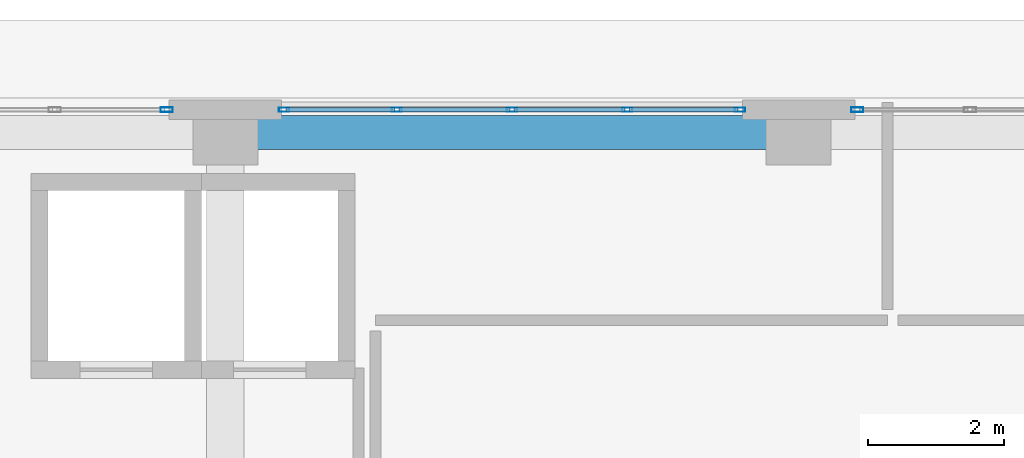
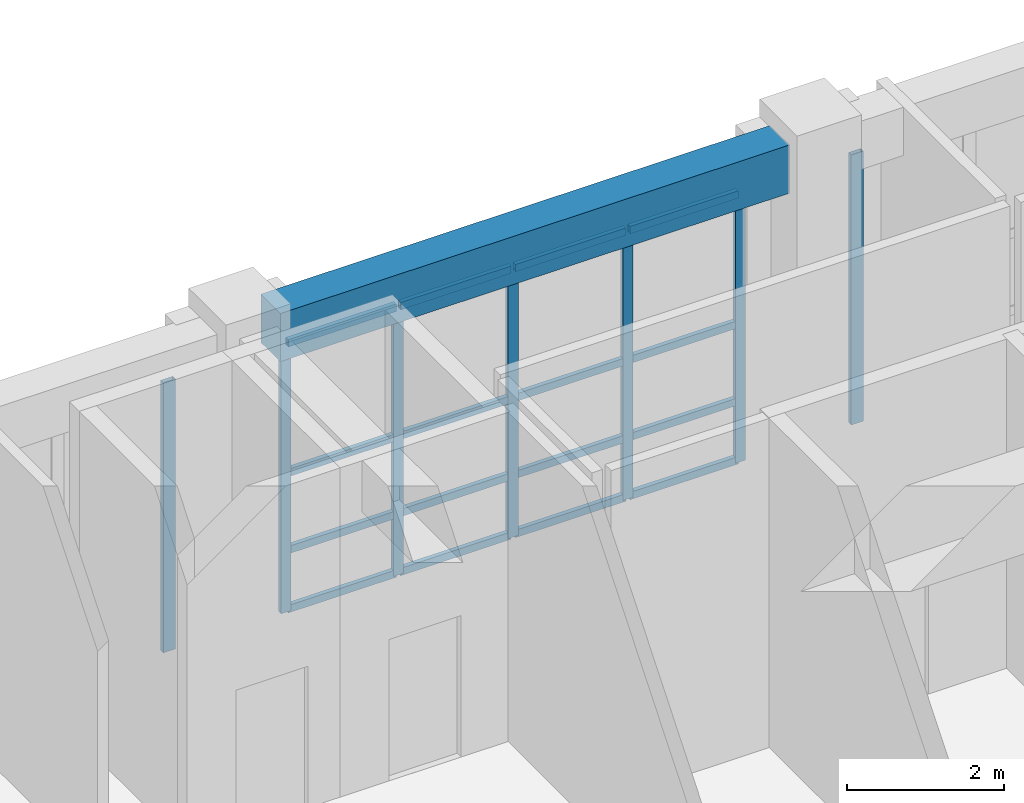
# One storey, part 61 of 148: 23 members, 1 beam, 3 elements without a shape of their own.
"""IFC4 building model written with IfcOpenShell, lengths in metres."""

from ifc_helpers import new_model, si_unit, direction, frame, origin, origin_2d, place, context, subcontext, project, spatial, rectangle, hollow_rectangle, extrude, material, layer, layer_set, material_profile, profile_set, type_object, element, aggregate, save


model = new_model("IFC4")

# Units and contexts
model_context = context("Model", 3, precision=1e-05, world=origin(), true_north=direction((0.0, 1.0)))
body_context = subcontext(model_context, "Body", "Model", "MODEL_VIEW")
ifc_project = project(units=[si_unit("LENGTHUNIT", "METRE"), si_unit("AREAUNIT", "SQUARE_METRE"), si_unit("VOLUMEUNIT", "CUBIC_METRE"), si_unit("PLANEANGLEUNIT", "RADIAN"), si_unit("MASSUNIT", "GRAM", prefix="KILO")], contexts=[model_context])

# Site, building, storey
site_placement = place(None, origin())
site = spatial("IfcSite", under=ifc_project, at=site_placement, CompositionType="ELEMENT")
building_placement = place(site_placement, origin())
building = spatial("IfcBuilding", under=site, at=building_placement, Name="Quendrovan Civic Courthouse", CompositionType="ELEMENT")
storey_placement = place(building_placement, origin())
storey = spatial("IfcBuildingStorey", under=building, at=storey_placement, Name="L01", CompositionType="ELEMENT", Elevation=0.0)

# Beam
ifc_material_1 = material(Name="Concrete C40/50", Category="concrete")
ifc_material_profile_1 = material_profile(ifc_material_1, rectangle(XDim=0.5, YDim=0.75, at=origin_2d()), Name="RC-BM-500x750")
ifc_profile_set_1 = profile_set([ifc_material_profile_1], Name="Concrete C40/50")
beam_type = type_object("IfcBeamType", Name="BM-RC750", PredefinedType="SPANDREL", material=ifc_profile_set_1)
beam_placement = place(storey_placement, frame((50.85498046875, 109.89990234375, 4.7451171875), z_axis=(1.0, 0.0, 0.0), x_axis=(0.0, 1.0, 0.0)))
element("IfcBeam", 1, at=beam_placement, inside=storey, type_object=beam_type, Name="L01 Girder X0358", PredefinedType="SPANDREL", context=body_context, shape_type="SweptSolid", body=[
    extrude(rectangle(XDim=0.5, YDim=0.75, at=origin_2d()), origin(), (0.0, 0.0, 1.0), 7.489990234375),
])

# Curtain wall, member
ifc_material_2 = material(Name="Bronze anodised aluminium and low-E glass", Category="aluminium")
ifc_layer_1 = layer(ifc_material_2, 0.179931640625, Name="Bronze anodised aluminium and low-E glass")
ifc_layer_set_1 = layer_set([ifc_layer_1], Name="Bronze anodised aluminium and low-E glass")
curtain_wall_type_1 = type_object("IfcCurtainWallType", Name="CW-U67x42", PredefinedType="USERDEFINED", material=ifc_layer_set_1)
curtain_wall_1_placement = place(storey_placement, origin())
curtain_wall_1 = element("IfcCurtainWall", 2, at=curtain_wall_1_placement, inside=storey, type_object=curtain_wall_type_1, Name="L01 Unitised Hurricane Curtain Wall CW-026", ObjectType="UNITISED CURTAIN WALL", PredefinedType="USERDEFINED")
ifc_material_3 = material(Name="Bronze anodised aluminium", Category="aluminium")
ifc_material_profile_2 = material_profile(ifc_material_3, hollow_rectangle(XDim=0.070068359375, YDim=0.179931640625, WallThickness=0.00390625, at=origin_2d()), Name="CW-MULL-70x180")
ifc_profile_set_2 = profile_set([ifc_material_profile_2], Name="Bronze anodised aluminium")
member_type_1 = type_object("IfcMemberType", Name="CW-MULL-A", PredefinedType="MULLION", material=ifc_profile_set_2)
member_1_placement = place(storey_placement, frame((49.5400390625, 110.235107421875, 0.0), z_axis=(0.0, 0.0, 1.0), x_axis=(0.0, 1.0, 0.0)))
member_1 = element("IfcMember", 3, at=member_1_placement, type_object=member_type_1, Name="CW-026 mullion 5", PredefinedType="MULLION", context=body_context, shape_type="SweptSolid", body=[
    extrude(hollow_rectangle(XDim=0.070068359375, YDim=0.179931640625, WallThickness=0.00390625, at=origin_2d()), origin(), (0.0, 0.0, 1.0), 4.199951171875),
])
aggregate(curtain_wall_1, [member_1])

ifc_layer_2 = layer(ifc_material_2, 0.179931640625, Name="Bronze anodised aluminium and low-E glass")
ifc_layer_set_2 = layer_set([ifc_layer_2], Name="Bronze anodised aluminium and low-E glass")
curtain_wall_type_2 = type_object("IfcCurtainWallType", Name="CW-U68x42", PredefinedType="USERDEFINED", material=ifc_layer_set_2)
curtain_wall_2_placement = place(storey_placement, origin())
curtain_wall_2 = element("IfcCurtainWall", 4, at=curtain_wall_2_placement, inside=storey, type_object=curtain_wall_type_2, Name="L01 Unitised Hurricane Curtain Wall CW-028", ObjectType="UNITISED CURTAIN WALL", PredefinedType="USERDEFINED")
member_2_placement = place(storey_placement, frame((59.659912109375, 110.235107421875, 0.0), z_axis=(0.0, 0.0, 1.0), x_axis=(0.0, 1.0, 0.0)))
member_2 = element("IfcMember", 5, at=member_2_placement, type_object=member_type_1, Name="CW-028 mullion 1", PredefinedType="MULLION", context=body_context, shape_type="SweptSolid", body=[
    extrude(hollow_rectangle(XDim=0.070068359375, YDim=0.179931640625, WallThickness=0.00390625, at=origin_2d()), origin(), (0.0, 0.0, 1.0), 4.199951171875),
])
aggregate(curtain_wall_2, [member_2])

# Curtain wall, members
curtain_wall_3_placement = place(storey_placement, origin())
curtain_wall_3 = element("IfcCurtainWall", 6, at=curtain_wall_3_placement, inside=storey, type_object=curtain_wall_type_2, Name="L01 Unitised Hurricane Curtain Wall CW-027", ObjectType="UNITISED CURTAIN WALL", PredefinedType="USERDEFINED")
ifc_material_profile_3 = material_profile(ifc_material_3, hollow_rectangle(XDim=0.06494140625, YDim=0.14990234375, WallThickness=0.00390625, at=origin_2d()), Name="CW-MULL-65x150")
ifc_profile_set_3 = profile_set([ifc_material_profile_3], Name="Bronze anodised aluminium")
member_type_2 = type_object("IfcMemberType", Name="CW-MULL-B", PredefinedType="MULLION", material=ifc_profile_set_3)
member_3_placement = place(storey_placement, frame((51.257568359375, 110.235107421875, 0.0), z_axis=(0.0, 0.0, 1.0), x_axis=(0.0, 1.0, 0.0)))
member_3 = element("IfcMember", 7, at=member_3_placement, type_object=member_type_2, Name="CW-027 mullion 1", PredefinedType="MULLION", context=body_context, shape_type="SweptSolid", body=[
    extrude(hollow_rectangle(XDim=0.06494140625, YDim=0.14990234375, WallThickness=0.00390625, at=origin_2d()), origin(), (0.0, 0.0, 1.0), 4.199951171875),
])
member_4_placement = place(storey_placement, frame((52.91259765625, 110.235107421875, 0.0), z_axis=(0.0, 0.0, 1.0), x_axis=(0.0, 1.0, 0.0)))
member_4 = element("IfcMember", 8, at=member_4_placement, type_object=member_type_2, Name="CW-027 mullion 2", PredefinedType="MULLION", context=body_context, shape_type="SweptSolid", body=[
    extrude(hollow_rectangle(XDim=0.06494140625, YDim=0.14990234375, WallThickness=0.00390625, at=origin_2d()), origin(), (0.0, 0.0, 1.0), 4.199951171875),
])
member_5_placement = place(storey_placement, frame((54.60009765625, 110.235107421875, 0.0), z_axis=(0.0, 0.0, 1.0), x_axis=(0.0, 1.0, 0.0)))
member_5 = element("IfcMember", 9, at=member_5_placement, type_object=member_type_2, Name="CW-027 mullion 3", PredefinedType="MULLION", context=body_context, shape_type="SweptSolid", body=[
    extrude(hollow_rectangle(XDim=0.06494140625, YDim=0.14990234375, WallThickness=0.00390625, at=origin_2d()), origin(), (0.0, 0.0, 1.0), 4.199951171875),
])
member_6_placement = place(storey_placement, frame((56.28759765625, 110.235107421875, 0.0), z_axis=(0.0, 0.0, 1.0), x_axis=(0.0, 1.0, 0.0)))
member_6 = element("IfcMember", 10, at=member_6_placement, type_object=member_type_2, Name="CW-027 mullion 4", PredefinedType="MULLION", context=body_context, shape_type="SweptSolid", body=[
    extrude(hollow_rectangle(XDim=0.06494140625, YDim=0.14990234375, WallThickness=0.00390625, at=origin_2d()), origin(), (0.0, 0.0, 1.0), 4.199951171875),
])
member_7_placement = place(storey_placement, frame((57.9423828125, 110.235107421875, 0.0), z_axis=(0.0, 0.0, 1.0), x_axis=(0.0, 1.0, 0.0)))
member_7 = element("IfcMember", 11, at=member_7_placement, type_object=member_type_2, Name="CW-027 mullion 5", PredefinedType="MULLION", context=body_context, shape_type="SweptSolid", body=[
    extrude(hollow_rectangle(XDim=0.06494140625, YDim=0.14990234375, WallThickness=0.00390625, at=origin_2d()), origin(), (0.0, 0.0, 1.0), 4.199951171875),
])
ifc_material_profile_4 = material_profile(ifc_material_3, hollow_rectangle(XDim=0.06494140625, YDim=0.114990234375, WallThickness=0.00390625, at=origin_2d()), Name="CW-TRAN-65x115")
ifc_profile_set_4 = profile_set([ifc_material_profile_4], Name="Bronze anodised aluminium")
member_type_3 = type_object("IfcMemberType", Name="CW-TRAN-B", PredefinedType="USERDEFINED", material=ifc_profile_set_4)
member_8_placement = place(storey_placement, frame((51.2900390625, 110.235107421875, 0.032470703125), z_axis=(1.0, 0.0, 0.0), x_axis=(0.0, 1.0, 0.0)))
member_8 = element("IfcMember", 12, at=member_8_placement, type_object=member_type_3, Name="CW-027 transom 1.1", ObjectType="TRANSOM", PredefinedType="USERDEFINED", context=body_context, shape_type="SweptSolid", body=[
    extrude(hollow_rectangle(XDim=0.06494140625, YDim=0.114990234375, WallThickness=0.00390625, at=origin_2d()), origin(), (0.0, 0.0, 1.0), 1.58984375),
])
member_9_placement = place(storey_placement, frame((51.2900390625, 110.235107421875, 0.949951171875), z_axis=(1.0, 0.0, 0.0), x_axis=(0.0, 1.0, 0.0)))
member_9 = element("IfcMember", 13, at=member_9_placement, type_object=member_type_3, Name="CW-027 transom 1.2", ObjectType="TRANSOM", PredefinedType="USERDEFINED", context=body_context, shape_type="SweptSolid", body=[
    extrude(hollow_rectangle(XDim=0.06494140625, YDim=0.114990234375, WallThickness=0.00390625, at=origin_2d()), origin(), (0.0, 0.0, 1.0), 1.58984375),
])
member_10_placement = place(storey_placement, frame((51.2900390625, 110.235107421875, 2.14990234375), z_axis=(1.0, 0.0, 0.0), x_axis=(0.0, 1.0, 0.0)))
member_10 = element("IfcMember", 14, at=member_10_placement, type_object=member_type_3, Name="CW-027 transom 1.3", ObjectType="TRANSOM", PredefinedType="USERDEFINED", context=body_context, shape_type="SweptSolid", body=[
    extrude(hollow_rectangle(XDim=0.06494140625, YDim=0.114990234375, WallThickness=0.00390625, at=origin_2d()), origin(), (0.0, 0.0, 1.0), 1.58984375),
])
member_11_placement = place(storey_placement, frame((51.2900390625, 110.235107421875, 4.16748046875), z_axis=(1.0, 0.0, 0.0), x_axis=(0.0, 1.0, 0.0)))
member_11 = element("IfcMember", 15, at=member_11_placement, type_object=member_type_3, Name="CW-027 transom 1.4", ObjectType="TRANSOM", PredefinedType="USERDEFINED", context=body_context, shape_type="SweptSolid", body=[
    extrude(hollow_rectangle(XDim=0.06494140625, YDim=0.114990234375, WallThickness=0.00390625, at=origin_2d()), origin(), (0.0, 0.0, 1.0), 1.58984375),
])
member_12_placement = place(storey_placement, frame((52.945068359375, 110.235107421875, 0.032470703125), z_axis=(1.0, 0.0, 0.0), x_axis=(0.0, 1.0, 0.0)))
member_12 = element("IfcMember", 16, at=member_12_placement, type_object=member_type_3, Name="CW-027 transom 2.1", ObjectType="TRANSOM", PredefinedType="USERDEFINED", context=body_context, shape_type="SweptSolid", body=[
    extrude(hollow_rectangle(XDim=0.06494140625, YDim=0.114990234375, WallThickness=0.00390625, at=origin_2d()), origin(), (0.0, 0.0, 1.0), 1.622314453125),
])
member_13_placement = place(storey_placement, frame((52.945068359375, 110.235107421875, 0.949951171875), z_axis=(1.0, 0.0, 0.0), x_axis=(0.0, 1.0, 0.0)))
member_13 = element("IfcMember", 17, at=member_13_placement, type_object=member_type_3, Name="CW-027 transom 2.2", ObjectType="TRANSOM", PredefinedType="USERDEFINED", context=body_context, shape_type="SweptSolid", body=[
    extrude(hollow_rectangle(XDim=0.06494140625, YDim=0.114990234375, WallThickness=0.00390625, at=origin_2d()), origin(), (0.0, 0.0, 1.0), 1.622314453125),
])
member_14_placement = place(storey_placement, frame((52.945068359375, 110.235107421875, 2.14990234375), z_axis=(1.0, 0.0, 0.0), x_axis=(0.0, 1.0, 0.0)))
member_14 = element("IfcMember", 18, at=member_14_placement, type_object=member_type_3, Name="CW-027 transom 2.3", ObjectType="TRANSOM", PredefinedType="USERDEFINED", context=body_context, shape_type="SweptSolid", body=[
    extrude(hollow_rectangle(XDim=0.06494140625, YDim=0.114990234375, WallThickness=0.00390625, at=origin_2d()), origin(), (0.0, 0.0, 1.0), 1.622314453125),
])
member_15_placement = place(storey_placement, frame((52.945068359375, 110.235107421875, 4.16748046875), z_axis=(1.0, 0.0, 0.0), x_axis=(0.0, 1.0, 0.0)))
member_15 = element("IfcMember", 19, at=member_15_placement, type_object=member_type_3, Name="CW-027 transom 2.4", ObjectType="TRANSOM", PredefinedType="USERDEFINED", context=body_context, shape_type="SweptSolid", body=[
    extrude(hollow_rectangle(XDim=0.06494140625, YDim=0.114990234375, WallThickness=0.00390625, at=origin_2d()), origin(), (0.0, 0.0, 1.0), 1.622314453125),
])
member_16_placement = place(storey_placement, frame((54.632568359375, 110.235107421875, 0.032470703125), z_axis=(1.0, 0.0, 0.0), x_axis=(0.0, 1.0, 0.0)))
member_16 = element("IfcMember", 20, at=member_16_placement, type_object=member_type_3, Name="CW-027 transom 3.1", ObjectType="TRANSOM", PredefinedType="USERDEFINED", context=body_context, shape_type="SweptSolid", body=[
    extrude(hollow_rectangle(XDim=0.06494140625, YDim=0.114990234375, WallThickness=0.00390625, at=origin_2d()), origin(), (0.0, 0.0, 1.0), 1.622314453125),
])
member_17_placement = place(storey_placement, frame((54.632568359375, 110.235107421875, 0.949951171875), z_axis=(1.0, 0.0, 0.0), x_axis=(0.0, 1.0, 0.0)))
member_17 = element("IfcMember", 21, at=member_17_placement, type_object=member_type_3, Name="CW-027 transom 3.2", ObjectType="TRANSOM", PredefinedType="USERDEFINED", context=body_context, shape_type="SweptSolid", body=[
    extrude(hollow_rectangle(XDim=0.06494140625, YDim=0.114990234375, WallThickness=0.00390625, at=origin_2d()), origin(), (0.0, 0.0, 1.0), 1.622314453125),
])
member_18_placement = place(storey_placement, frame((54.632568359375, 110.235107421875, 2.14990234375), z_axis=(1.0, 0.0, 0.0), x_axis=(0.0, 1.0, 0.0)))
member_18 = element("IfcMember", 22, at=member_18_placement, type_object=member_type_3, Name="CW-027 transom 3.3", ObjectType="TRANSOM", PredefinedType="USERDEFINED", context=body_context, shape_type="SweptSolid", body=[
    extrude(hollow_rectangle(XDim=0.06494140625, YDim=0.114990234375, WallThickness=0.00390625, at=origin_2d()), origin(), (0.0, 0.0, 1.0), 1.622314453125),
])
member_19_placement = place(storey_placement, frame((54.632568359375, 110.235107421875, 4.16748046875), z_axis=(1.0, 0.0, 0.0), x_axis=(0.0, 1.0, 0.0)))
member_19 = element("IfcMember", 23, at=member_19_placement, type_object=member_type_3, Name="CW-027 transom 3.4", ObjectType="TRANSOM", PredefinedType="USERDEFINED", context=body_context, shape_type="SweptSolid", body=[
    extrude(hollow_rectangle(XDim=0.06494140625, YDim=0.114990234375, WallThickness=0.00390625, at=origin_2d()), origin(), (0.0, 0.0, 1.0), 1.622314453125),
])
member_20_placement = place(storey_placement, frame((56.320068359375, 110.235107421875, 0.032470703125), z_axis=(1.0, 0.0, 0.0), x_axis=(0.0, 1.0, 0.0)))
member_20 = element("IfcMember", 24, at=member_20_placement, type_object=member_type_3, Name="CW-027 transom 4.1", ObjectType="TRANSOM", PredefinedType="USERDEFINED", context=body_context, shape_type="SweptSolid", body=[
    extrude(hollow_rectangle(XDim=0.06494140625, YDim=0.114990234375, WallThickness=0.00390625, at=origin_2d()), origin(), (0.0, 0.0, 1.0), 1.58984375),
])
member_21_placement = place(storey_placement, frame((56.320068359375, 110.235107421875, 0.949951171875), z_axis=(1.0, 0.0, 0.0), x_axis=(0.0, 1.0, 0.0)))
member_21 = element("IfcMember", 25, at=member_21_placement, type_object=member_type_3, Name="CW-027 transom 4.2", ObjectType="TRANSOM", PredefinedType="USERDEFINED", context=body_context, shape_type="SweptSolid", body=[
    extrude(hollow_rectangle(XDim=0.06494140625, YDim=0.114990234375, WallThickness=0.00390625, at=origin_2d()), origin(), (0.0, 0.0, 1.0), 1.58984375),
])
member_22_placement = place(storey_placement, frame((56.320068359375, 110.235107421875, 2.14990234375), z_axis=(1.0, 0.0, 0.0), x_axis=(0.0, 1.0, 0.0)))
member_22 = element("IfcMember", 26, at=member_22_placement, type_object=member_type_3, Name="CW-027 transom 4.3", ObjectType="TRANSOM", PredefinedType="USERDEFINED", context=body_context, shape_type="SweptSolid", body=[
    extrude(hollow_rectangle(XDim=0.06494140625, YDim=0.114990234375, WallThickness=0.00390625, at=origin_2d()), origin(), (0.0, 0.0, 1.0), 1.58984375),
])
member_23_placement = place(storey_placement, frame((56.320068359375, 110.235107421875, 4.16748046875), z_axis=(1.0, 0.0, 0.0), x_axis=(0.0, 1.0, 0.0)))
member_23 = element("IfcMember", 27, at=member_23_placement, type_object=member_type_3, Name="CW-027 transom 4.4", ObjectType="TRANSOM", PredefinedType="USERDEFINED", context=body_context, shape_type="SweptSolid", body=[
    extrude(hollow_rectangle(XDim=0.06494140625, YDim=0.114990234375, WallThickness=0.00390625, at=origin_2d()), origin(), (0.0, 0.0, 1.0), 1.58984375),
])
aggregate(curtain_wall_3, [member_3, member_4, member_5, member_6, member_7, member_8, member_9, member_10, member_11, member_12, member_13, member_14, member_15, member_16, member_17, member_18, member_19, member_20, member_21, member_22, member_23])

save(model, "model.ifc")
